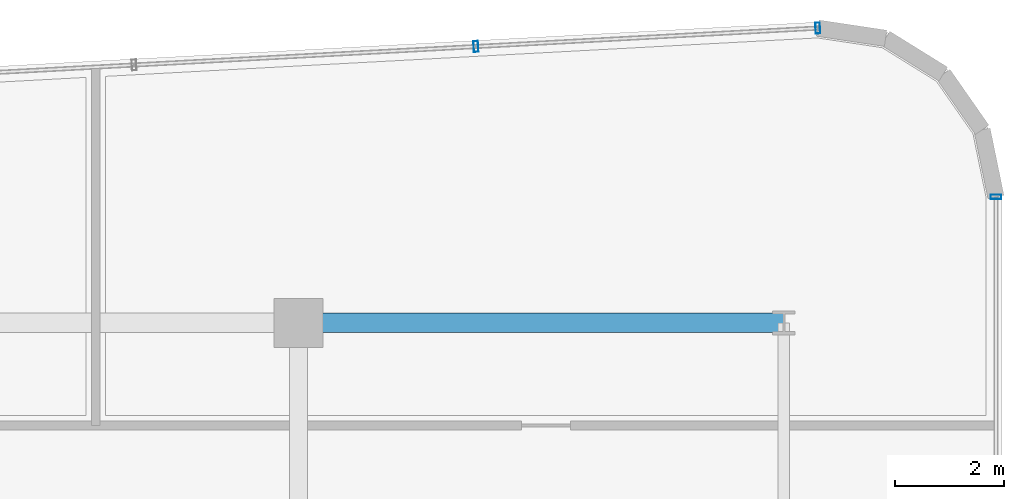
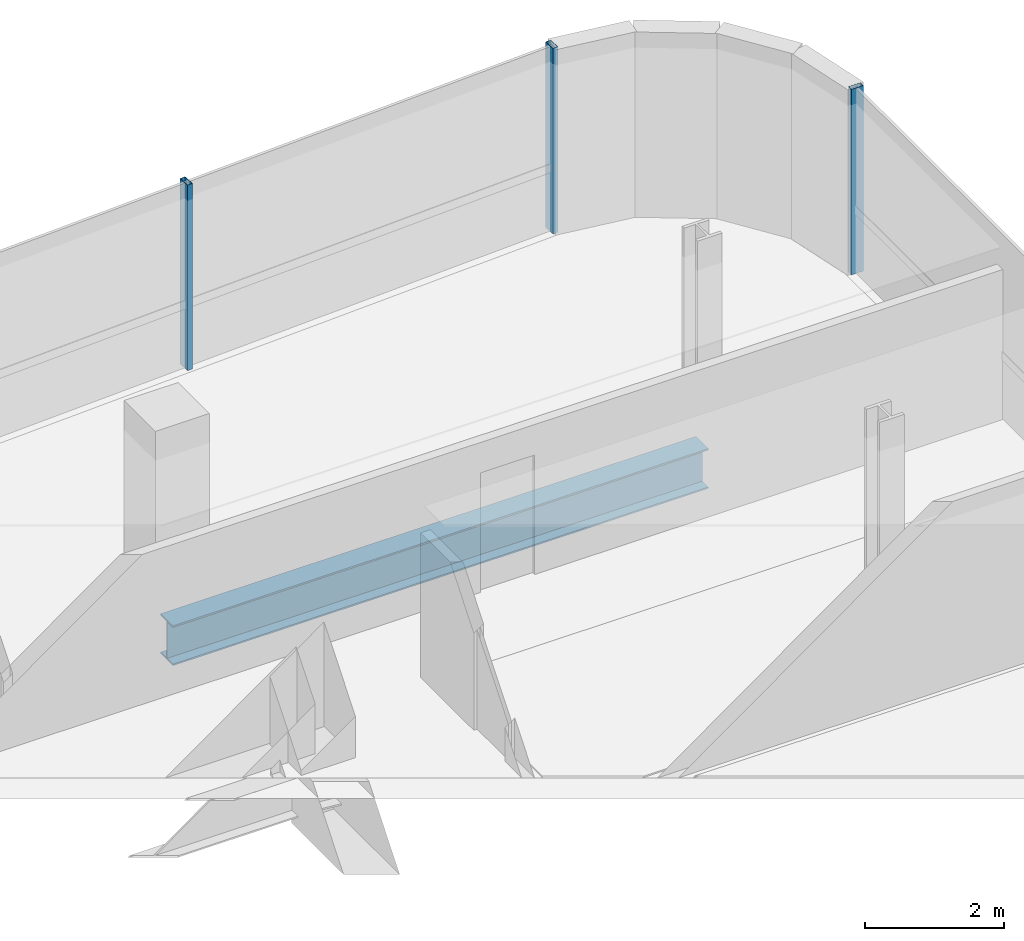
# One storey, part 16 of 22: 3 members, 1 beam, 2 elements without a shape of their own.
"""IFC4 building model written with IfcOpenShell, lengths in metres."""

from ifc_helpers import new_model, si_unit, direction, frame, origin, origin_2d, place, context, subcontext, project, spatial, hollow_rectangle, i_section, extrude, source, transform, mapped, material, material_profile, profile_set, type_object, element, aggregate, save


model = new_model("IFC4")

# Units and contexts
model_context = context("Model", 3, precision=1e-05, world=origin(), true_north=direction((0.0, 1.0)))
body_context = subcontext(model_context, "Body", "Model", "MODEL_VIEW")
ifc_project = project(units=[si_unit("LENGTHUNIT", "METRE"), si_unit("AREAUNIT", "SQUARE_METRE"), si_unit("VOLUMEUNIT", "CUBIC_METRE"), si_unit("PLANEANGLEUNIT", "RADIAN"), si_unit("MASSUNIT", "GRAM", prefix="KILO")], contexts=[model_context])

# Site, building, storey
site_placement = place(None, origin())
site = spatial("IfcSite", under=ifc_project, at=site_placement, CompositionType="ELEMENT")
building_placement = place(site_placement, origin())
building = spatial("IfcBuilding", under=site, at=building_placement, Name="Valdorenza Pilgrim Sanctuary Tower", CompositionType="ELEMENT")
storey_placement = place(building_placement, frame((0.0, 0.0, 237.0)))
storey = spatial("IfcBuildingStorey", under=building, at=storey_placement, Name="L61", CompositionType="ELEMENT", Elevation=237.0)

# Beam
ifc_material_1 = material(Name="Steel ASTM A992 Grade 50", Category="steel")
ifc_material_profile_1 = material_profile(ifc_material_1, i_section(OverallWidth=0.35595703125, OverallDepth=0.700927734375, WebThickness=0.016845703125, FlangeThickness=0.02734375, at=origin_2d()), Name="W27X161")
ifc_profile_set_1 = profile_set([ifc_material_profile_1], Name="Steel ASTM A992 Grade 50")
beam_type = type_object("IfcBeamType", Name="STR-BM-GRD-W27", PredefinedType="BEAM", material=ifc_profile_set_1)
shared_shape_1 = source(origin(), body_context, "Body", "SweptSolid", [
    extrude(i_section(OverallWidth=0.35595703125, OverallDepth=0.700927734375, WebThickness=0.016845703125, FlangeThickness=0.02734375, at=origin_2d()), origin(), (0.0, 0.0, 1.0), 8.89990234375),
])
beam_placement = place(storey_placement, frame((-12.39990234375, 14.800048828125, -0.590576171875), z_axis=(1.0, 0.0, 0.0), x_axis=(0.0, 1.0, 0.0)))
element("IfcBeam", 1, at=beam_placement, inside=storey, type_object=beam_type, Name="L61 Floor Girder UWA-KG2", PredefinedType="BEAM", context=body_context, shape_type="MappedRepresentation", body=[
    mapped(shared_shape_1, transform((0.0, 0.0, 0.0), x_axis=(1.0, 0.0, 0.0), y_axis=(0.0, 1.0, 0.0), z_axis=(0.0, 0.0, 1.0), scale=1.0)),
])

# Curtain wall, members
ifc_material_2 = material(Name="Curtain-wall IGU glazing", Category="glass")
curtain_wall_type = type_object("IfcCurtainWallType", Name="CW-SYS-02", PredefinedType="NOTDEFINED", material=ifc_material_2)
curtain_wall_1_placement = place(storey_placement, origin())
curtain_wall_1 = element("IfcCurtainWall", 2, at=curtain_wall_1_placement, inside=storey, type_object=curtain_wall_type, Name="L61 Curtain Wall CW-L61-1-6", PredefinedType="NOTDEFINED")
ifc_material_3 = material(Name="Anodised aluminium AW-6060", Category="aluminium")
ifc_material_profile_2 = material_profile(ifc_material_3, hollow_rectangle(XDim=0.0849609375, YDim=0.199951171875, WallThickness=0.0048828125, at=origin_2d()), Name="ALU-M 200x85x5")
ifc_profile_set_2 = profile_set([ifc_material_profile_2], Name="Anodised aluminium AW-6060")
member_type = type_object("IfcMemberType", Name="CW-MUL-02", PredefinedType="MULLION", material=ifc_profile_set_2)
shared_shape_2 = source(origin(), body_context, "Body", "SweptSolid", [
    extrude(hollow_rectangle(XDim=0.0849609375, YDim=0.199951171875, WallThickness=0.0048828125, at=origin_2d()), origin(), (0.0, 0.0, 1.0), 3.260009765625),
])
member_1_placement = place(storey_placement, frame((-9.147216796875, 19.869140625, 0.0), z_axis=(0.0, 0.0, 1.0), x_axis=(0.998547034311, 0.053887106711, 0.0)))
member_1 = element("IfcMember", 3, at=member_1_placement, type_object=member_type, Name="CW-L61-1-6 Mullion 4", PredefinedType="MULLION", context=body_context, shape_type="MappedRepresentation", body=[
    mapped(shared_shape_2, transform((0.0, 0.0, 0.0), x_axis=(1.0, 0.0, 0.0), y_axis=(0.0, 1.0, 0.0), z_axis=(0.0, 0.0, 1.0), scale=1.0)),
])
member_2_placement = place(storey_placement, frame((-2.877685546875, 20.20751953125, 0.0), z_axis=(0.0, 0.0, 1.0), x_axis=(0.998547034311, 0.053887106711, 0.0)))
member_2 = element("IfcMember", 4, at=member_2_placement, type_object=member_type, Name="CW-L61-1-6 Mullion 5", PredefinedType="MULLION", context=body_context, shape_type="MappedRepresentation", body=[
    mapped(shared_shape_2, transform((0.0, 0.0, 0.0), x_axis=(1.0, 0.0, 0.0), y_axis=(0.0, 1.0, 0.0), z_axis=(0.0, 0.0, 1.0), scale=1.0)),
])
aggregate(curtain_wall_1, [member_1, member_2])

# Curtain wall, member
curtain_wall_2_placement = place(storey_placement, origin())
curtain_wall_2 = element("IfcCurtainWall", 5, at=curtain_wall_2_placement, inside=storey, type_object=curtain_wall_type, Name="L61 Curtain Wall CW-L61-1-11", PredefinedType="NOTDEFINED")
member_3_placement = place(storey_placement, frame((0.389892578125, 17.111328125, 0.0), z_axis=(0.0, 0.0, 1.0), x_axis=(0.0, -1.0, 0.0)))
member_3 = element("IfcMember", 6, at=member_3_placement, type_object=member_type, Name="CW-L61-1-11 Mullion 1", PredefinedType="MULLION", context=body_context, shape_type="MappedRepresentation", body=[
    mapped(shared_shape_2, transform((0.0, 0.0, 0.0), x_axis=(1.0, 0.0, 0.0), y_axis=(0.0, 1.0, 0.0), z_axis=(0.0, 0.0, 1.0), scale=1.0)),
])
aggregate(curtain_wall_2, [member_3])

save(model, "model.ifc")
